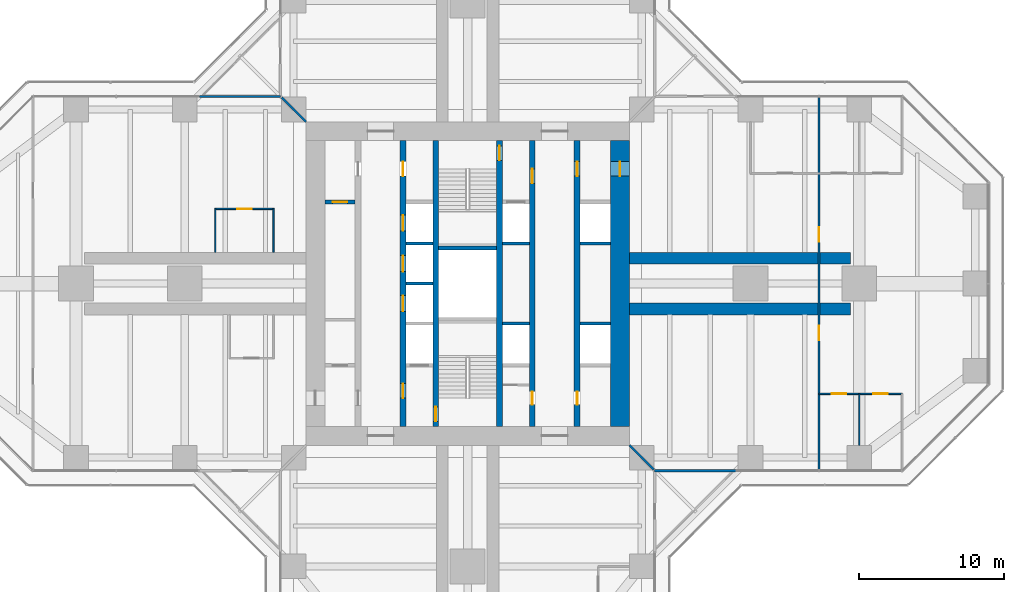
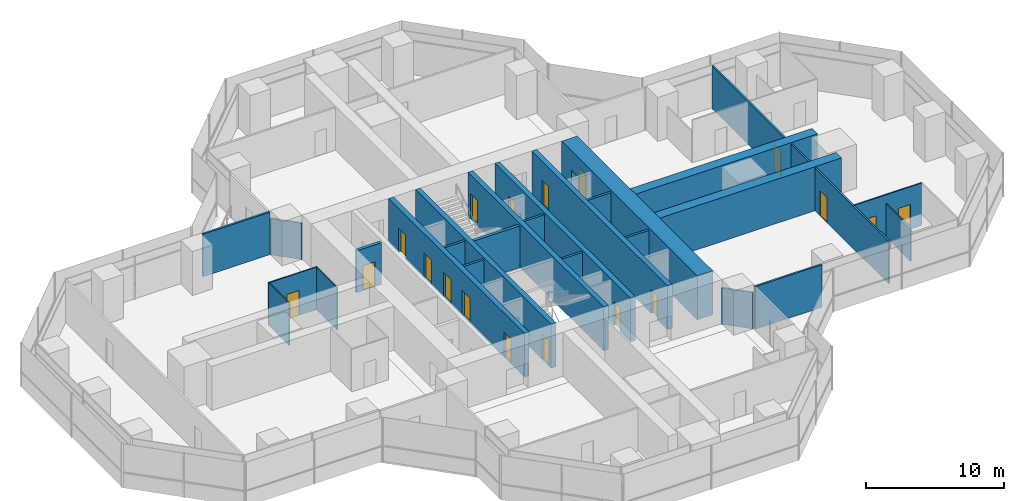
# One storey, part 16 of 19: 26 walls, 18 doors, 18 openings.
"""IFC4 building model written with IfcOpenShell, lengths in metres."""

from ifc_helpers import new_model, si_unit, direction, frame, frame_2d, origin, place, context, subcontext, project, spatial, rectangle, extrude, material, layer, layer_set, type_object, element, fill, save


model = new_model("IFC4")

# Units and contexts
model_context = context("Model", 3, precision=1e-05, world=origin(), true_north=direction((0.0, 1.0)))
body_context = subcontext(model_context, "Body", "Model", "MODEL_VIEW")
ifc_project = project(units=[si_unit("LENGTHUNIT", "METRE"), si_unit("AREAUNIT", "SQUARE_METRE"), si_unit("VOLUMEUNIT", "CUBIC_METRE"), si_unit("PLANEANGLEUNIT", "RADIAN"), si_unit("MASSUNIT", "GRAM", prefix="KILO")], contexts=[model_context])

# Site, building, storey
site_placement = place(None, origin())
site = spatial("IfcSite", under=ifc_project, at=site_placement, CompositionType="ELEMENT")
building_placement = place(site_placement, origin())
building = spatial("IfcBuilding", under=site, at=building_placement, Name="Mizan Broadcast Tower", CompositionType="ELEMENT")
storey_placement = place(building_placement, frame((0.0, 0.0, 132.0)))
storey = spatial("IfcBuildingStorey", under=building, at=storey_placement, Name="L29", CompositionType="ELEMENT", Elevation=132.0)

# Wall, openings, doors
ifc_material_1 = material(Name="Concrete C70/85", Category="concrete")
ifc_layer_1 = layer(ifc_material_1, 0.39990234375)
ifc_layer_set_1 = layer_set([ifc_layer_1], Name="Concrete C70/85")
wall_type_1 = type_object("IfcWallType", Name="CORE INTERNAL WALL 400", PredefinedType="SHEAR", material=ifc_layer_set_1)
wall_1_placement = place(storey_placement, frame((7.550048828125, 9.85009765625, 0.0), z_axis=(0.0, 0.0, 1.0), x_axis=(0.0, -1.0, 0.0)))
wall_1 = element("IfcWall", 1, at=wall_1_placement, inside=storey, type_object=wall_type_1, Name="Core wall CORE/XW1E", PredefinedType="SHEAR", context=body_context, shape_type="SweptSolid", body=[
    extrude(rectangle(XDim=19.7001953125, YDim=0.39990234375, at=frame_2d((9.85009765625, 0.0))), origin(), (0.0, 0.0, 1.0), 3.89990234375),
])
opening_1_placement = place(wall_1_placement, frame((1.449951171875, 0.0, 0.0)))
opening_1 = element("IfcOpeningElement", 2, at=opening_1_placement, cuts=wall_1, Name="Opening D10F", PredefinedType="OPENING", context=body_context, shape_type="SweptSolid", body=[
    extrude(rectangle(XDim=1.0, YDim=2.199951171875, at=frame_2d((0.5, 1.10009765625))), frame((0.0, 0.2099609375, 0.0), z_axis=(0.0, -1.0, 0.0), x_axis=(1.0, 0.0, 0.0)), (0.0, 0.0, 1.0), 0.419921875),
])
opening_2_placement = place(wall_1_placement, frame((17.300048828125, 0.0, 0.0)))
opening_2 = element("IfcOpeningElement", 3, at=opening_2_placement, cuts=wall_1, Name="Opening D09", PredefinedType="OPENING", context=body_context, shape_type="SweptSolid", body=[
    extrude(rectangle(XDim=0.89990234375, YDim=2.10009765625, at=frame_2d((0.449951171875, 1.050048828125))), frame((0.0, 0.2099609375, 0.0), z_axis=(0.0, -1.0, 0.0), x_axis=(1.0, 0.0, 0.0)), (0.0, 0.0, 1.0), 0.419921875),
])
ifc_material_2 = material(Name="Steel door leaf in steel frame", Category="steel")
door_type_1 = type_object("IfcDoorType", Name="FIRE DOOR 1000 FD90", OperationType="SINGLE_SWING_LEFT", PredefinedType="DOOR", material=ifc_material_2)
door_1_placement = place(opening_1_placement, origin())
door_1 = element("IfcDoor", 4, at=door_1_placement, inside=storey, type_object=door_type_1, Name="East core passage door", OperationType="SINGLE_SWING_LEFT", OverallHeight=2.199951171875, OverallWidth=1.0, PredefinedType="DOOR", context=body_context, shape_type="SweptSolid", body=[
    extrude(rectangle(XDim=1.0, YDim=2.199951171875, at=frame_2d((0.5, 1.10009765625))), frame((0.0, 0.02490234375, 0.0), z_axis=(0.0, -1.0, 0.0), x_axis=(1.0, 0.0, 0.0)), (0.0, 0.0, 1.0), 0.050048828125),
])
fill(opening_1, door_1)
ifc_material_3 = material(Name="Timber door leaf in aluminium frame", Category="wood")
door_type_2 = type_object("IfcDoorType", Name="TOILET DOOR 900", OperationType="SINGLE_SWING_LEFT", PredefinedType="DOOR", material=ifc_material_3)
door_2_placement = place(opening_2_placement, origin())
door_2 = element("IfcDoor", 5, at=door_2_placement, inside=storey, type_object=door_type_2, Name="Female WC door", OperationType="SINGLE_SWING_RIGHT", OverallHeight=2.10009765625, OverallWidth=0.89990234375, PredefinedType="DOOR", context=body_context, shape_type="SweptSolid", body=[
    extrude(rectangle(XDim=0.89990234375, YDim=2.10009765625, at=frame_2d((0.449951171875, 1.050048828125))), frame((0.0, 0.02490234375, 0.0), z_axis=(0.0, -1.0, 0.0), x_axis=(1.0, 0.0, 0.0)), (0.0, 0.0, 1.0), 0.050048828125),
])
fill(opening_2, door_2)

wall_2_placement = place(storey_placement, frame((-4.449951171875, -9.85009765625, 0.0), z_axis=(0.0, 0.0, 1.0), x_axis=(0.0, 1.0, 0.0)))
wall_2 = element("IfcWall", 6, at=wall_2_placement, inside=storey, type_object=wall_type_1, Name="Core wall CORE/XWH", PredefinedType="SHEAR", context=body_context, shape_type="SweptSolid", body=[
    extrude(rectangle(XDim=19.7001953125, YDim=0.39990234375, at=frame_2d((9.85009765625, 0.0))), origin(), (0.0, 0.0, 1.0), 3.89990234375),
])
opening_3_placement = place(wall_2_placement, frame((1.949951171875, 0.0, 0.0)))
opening_3 = element("IfcOpeningElement", 7, at=opening_3_placement, cuts=wall_2, Name="Opening D10F", PredefinedType="OPENING", context=body_context, shape_type="SweptSolid", body=[
    extrude(rectangle(XDim=1.0, YDim=2.199951171875, at=frame_2d((0.5, 1.10009765625))), frame((0.0, 0.2099609375, 0.0), z_axis=(0.0, -1.0, 0.0), x_axis=(1.0, 0.0, 0.0)), (0.0, 0.0, 1.0), 0.419921875),
])
opening_4_placement = place(wall_2_placement, frame((17.25, 0.0, 0.0)))
opening_4 = element("IfcOpeningElement", 8, at=opening_4_placement, cuts=wall_2, Name="Opening D10A", PredefinedType="OPENING", context=body_context, shape_type="SweptSolid", body=[
    extrude(rectangle(XDim=1.0, YDim=2.10009765625, at=frame_2d((0.5, 1.050048828125))), frame((0.0, 0.2099609375, 0.0), z_axis=(0.0, -1.0, 0.0), x_axis=(1.0, 0.0, 0.0)), (0.0, 0.0, 1.0), 0.419921875),
])
opening_5_placement = place(wall_2_placement, frame((7.925048828125, 0.0, 0.0)))
opening_5 = element("IfcOpeningElement", 9, at=opening_5_placement, cuts=wall_2, Name="Opening LD", PredefinedType="OPENING", context=body_context, shape_type="SweptSolid", body=[
    extrude(rectangle(XDim=1.10009765625, YDim=2.199951171875, at=frame_2d((0.550048828125, 1.10009765625))), frame((0.0, 0.2099609375, 0.0), z_axis=(0.0, -1.0, 0.0), x_axis=(1.0, 0.0, 0.0)), (0.0, 0.0, 1.0), 0.419921875),
])
opening_6_placement = place(wall_2_placement, frame((10.675048828125, 0.0, 0.0)))
opening_6 = element("IfcOpeningElement", 10, at=opening_6_placement, cuts=wall_2, Name="Opening LD", PredefinedType="OPENING", context=body_context, shape_type="SweptSolid", body=[
    extrude(rectangle(XDim=1.10009765625, YDim=2.199951171875, at=frame_2d((0.550048828125, 1.10009765625))), frame((0.0, 0.2099609375, 0.0), z_axis=(0.0, -1.0, 0.0), x_axis=(1.0, 0.0, 0.0)), (0.0, 0.0, 1.0), 0.419921875),
])
opening_7_placement = place(wall_2_placement, frame((13.47509765625, 0.0, 0.0)))
opening_7 = element("IfcOpeningElement", 11, at=opening_7_placement, cuts=wall_2, Name="Opening LD", PredefinedType="OPENING", context=body_context, shape_type="SweptSolid", body=[
    extrude(rectangle(XDim=1.10009765625, YDim=2.199951171875, at=frame_2d((0.550048828125, 1.10009765625))), frame((0.0, 0.2099609375, 0.0), z_axis=(0.0, -1.0, 0.0), x_axis=(1.0, 0.0, 0.0)), (0.0, 0.0, 1.0), 0.419921875),
])
ifc_material_4 = material(Name="Timber door leaf in aluminium frame", Category="wood")
door_type_3 = type_object("IfcDoorType", Name="ACCESSIBLE WC DOOR 1000", OperationType="SLIDING_TO_LEFT", PredefinedType="DOOR", material=ifc_material_4)
door_3_placement = place(opening_4_placement, origin())
door_3 = element("IfcDoor", 12, at=door_3_placement, inside=storey, type_object=door_type_3, Name="Accessible WC door", OperationType="SLIDING_TO_LEFT", OverallHeight=2.10009765625, OverallWidth=1.0, PredefinedType="DOOR", context=body_context, shape_type="SweptSolid", body=[
    extrude(rectangle(XDim=1.0, YDim=2.10009765625, at=frame_2d((0.5, 1.050048828125))), frame((0.0, 0.02490234375, 0.0), z_axis=(0.0, -1.0, 0.0), x_axis=(1.0, 0.0, 0.0)), (0.0, 0.0, 1.0), 0.050048828125),
])
fill(opening_4, door_3)
door_4_placement = place(opening_3_placement, origin())
door_4 = element("IfcDoor", 13, at=door_4_placement, inside=storey, type_object=door_type_1, Name="Firefighting lobby A door", OperationType="SINGLE_SWING_LEFT", OverallHeight=2.199951171875, OverallWidth=1.0, PredefinedType="DOOR", context=body_context, shape_type="SweptSolid", body=[
    extrude(rectangle(XDim=1.0, YDim=2.199951171875, at=frame_2d((0.5, 1.10009765625))), frame((0.0, 0.02490234375, 0.0), z_axis=(0.0, -1.0, 0.0), x_axis=(1.0, 0.0, 0.0)), (0.0, 0.0, 1.0), 0.050048828125),
])
fill(opening_3, door_4)
ifc_material_5 = material(Name="Steel door leaf in steel frame", Category="steel")
door_type_4 = type_object("IfcDoorType", Name="LIFT LANDING DOOR 1100", OperationType="SLIDING_TO_LEFT", PredefinedType="DOOR", material=ifc_material_5)
door_5_placement = place(opening_5_placement, origin())
door_5 = element("IfcDoor", 14, at=door_5_placement, inside=storey, type_object=door_type_4, Name="Landing door LB1", OperationType="SLIDING_TO_LEFT", OverallHeight=2.199951171875, OverallWidth=1.10009765625, PredefinedType="DOOR", context=body_context, shape_type="SweptSolid", body=[
    extrude(rectangle(XDim=1.10009765625, YDim=2.199951171875, at=frame_2d((0.550048828125, 1.10009765625))), frame((0.0, 0.02490234375, 0.0), z_axis=(0.0, -1.0, 0.0), x_axis=(1.0, 0.0, 0.0)), (0.0, 0.0, 1.0), 0.050048828125),
])
fill(opening_5, door_5)
door_6_placement = place(opening_6_placement, origin())
door_6 = element("IfcDoor", 15, at=door_6_placement, inside=storey, type_object=door_type_4, Name="Landing door LB2", OperationType="SLIDING_TO_LEFT", OverallHeight=2.199951171875, OverallWidth=1.10009765625, PredefinedType="DOOR", context=body_context, shape_type="SweptSolid", body=[
    extrude(rectangle(XDim=1.10009765625, YDim=2.199951171875, at=frame_2d((0.550048828125, 1.10009765625))), frame((0.0, 0.02490234375, 0.0), z_axis=(0.0, -1.0, 0.0), x_axis=(1.0, 0.0, 0.0)), (0.0, 0.0, 1.0), 0.050048828125),
])
fill(opening_6, door_6)
door_7_placement = place(opening_7_placement, origin())
door_7 = element("IfcDoor", 16, at=door_7_placement, inside=storey, type_object=door_type_4, Name="Landing door LB3", OperationType="SLIDING_TO_LEFT", OverallHeight=2.199951171875, OverallWidth=1.10009765625, PredefinedType="DOOR", context=body_context, shape_type="SweptSolid", body=[
    extrude(rectangle(XDim=1.10009765625, YDim=2.199951171875, at=frame_2d((0.550048828125, 1.10009765625))), frame((0.0, 0.02490234375, 0.0), z_axis=(0.0, -1.0, 0.0), x_axis=(1.0, 0.0, 0.0)), (0.0, 0.0, 1.0), 0.050048828125),
])
fill(opening_7, door_7)

wall_3_placement = place(storey_placement, frame((4.449951171875, 9.85009765625, 0.0), z_axis=(0.0, 0.0, 1.0), x_axis=(0.0, -1.0, 0.0)))
wall_3 = element("IfcWall", 17, at=wall_3_placement, inside=storey, type_object=wall_type_1, Name="Core wall CORE/XWHE", PredefinedType="SHEAR", context=body_context, shape_type="SweptSolid", body=[
    extrude(rectangle(XDim=19.7001953125, YDim=0.39990234375, at=frame_2d((9.85009765625, 0.0))), origin(), (0.0, 0.0, 1.0), 3.89990234375),
])
opening_8_placement = place(wall_3_placement, frame((1.949951171875, 0.0, 0.0)))
opening_8 = element("IfcOpeningElement", 18, at=opening_8_placement, cuts=wall_3, Name="Opening D10F", PredefinedType="OPENING", context=body_context, shape_type="SweptSolid", body=[
    extrude(rectangle(XDim=1.0, YDim=2.199951171875, at=frame_2d((0.5, 1.10009765625))), frame((0.0, 0.2099609375, 0.0), z_axis=(0.0, -1.0, 0.0), x_axis=(1.0, 0.0, 0.0)), (0.0, 0.0, 1.0), 0.419921875),
])
opening_9_placement = place(wall_3_placement, frame((17.300048828125, 0.0, 0.0)))
opening_9 = element("IfcOpeningElement", 19, at=opening_9_placement, cuts=wall_3, Name="Opening D09", PredefinedType="OPENING", context=body_context, shape_type="SweptSolid", body=[
    extrude(rectangle(XDim=0.89990234375, YDim=2.10009765625, at=frame_2d((0.449951171875, 1.050048828125))), frame((0.0, 0.2099609375, 0.0), z_axis=(0.0, -1.0, 0.0), x_axis=(1.0, 0.0, 0.0)), (0.0, 0.0, 1.0), 0.419921875),
])
door_8_placement = place(opening_8_placement, origin())
door_8 = element("IfcDoor", 20, at=door_8_placement, inside=storey, type_object=door_type_1, Name="Firefighting lobby B door", OperationType="SINGLE_SWING_LEFT", OverallHeight=2.199951171875, OverallWidth=1.0, PredefinedType="DOOR", context=body_context, shape_type="SweptSolid", body=[
    extrude(rectangle(XDim=1.0, YDim=2.199951171875, at=frame_2d((0.5, 1.10009765625))), frame((0.0, 0.02490234375, 0.0), z_axis=(0.0, -1.0, 0.0), x_axis=(1.0, 0.0, 0.0)), (0.0, 0.0, 1.0), 0.050048828125),
])
fill(opening_8, door_8)
door_9_placement = place(opening_9_placement, origin())
door_9 = element("IfcDoor", 21, at=door_9_placement, inside=storey, type_object=door_type_2, Name="Cleaner's store door", OperationType="SINGLE_SWING_RIGHT", OverallHeight=2.10009765625, OverallWidth=0.89990234375, PredefinedType="DOOR", context=body_context, shape_type="SweptSolid", body=[
    extrude(rectangle(XDim=0.89990234375, YDim=2.10009765625, at=frame_2d((0.449951171875, 1.050048828125))), frame((0.0, 0.02490234375, 0.0), z_axis=(0.0, -1.0, 0.0), x_axis=(1.0, 0.0, 0.0)), (0.0, 0.0, 1.0), 0.050048828125),
])
fill(opening_9, door_9)

# Wall, opening, door
wall_4_placement = place(storey_placement, frame((-2.199951171875, -9.85009765625, 0.0), z_axis=(0.0, 0.0, 1.0), x_axis=(0.0, 1.0, 0.0)))
wall_4 = element("IfcWall", 22, at=wall_4_placement, inside=storey, type_object=wall_type_1, Name="Core wall CORE/XW2", PredefinedType="SHEAR", context=body_context, shape_type="SweptSolid", body=[
    extrude(rectangle(XDim=19.7001953125, YDim=0.39990234375, at=frame_2d((9.85009765625, 0.0))), origin(), (0.0, 0.0, 1.0), 3.89990234375),
])
opening_10_placement = place(wall_4_placement, frame((0.35009765625, 0.0, 0.0)))
opening_10 = element("IfcOpeningElement", 23, at=opening_10_placement, cuts=wall_4, Name="Opening D10S", PredefinedType="OPENING", context=body_context, shape_type="SweptSolid", body=[
    extrude(rectangle(XDim=1.0, YDim=2.199951171875, at=frame_2d((0.5, 1.10009765625))), frame((0.0, 0.2099609375, 0.0), z_axis=(0.0, -1.0, 0.0), x_axis=(1.0, 0.0, 0.0)), (0.0, 0.0, 1.0), 0.419921875),
])
ifc_material_6 = material(Name="Steel door leaf in steel frame", Category="steel")
door_type_5 = type_object("IfcDoorType", Name="STAIR DOOR 1000 FD90S", OperationType="SINGLE_SWING_RIGHT", PredefinedType="DOOR", material=ifc_material_6)
door_10_placement = place(opening_10_placement, origin())
door_10 = element("IfcDoor", 24, at=door_10_placement, inside=storey, type_object=door_type_5, Name="Stair A door", OperationType="SINGLE_SWING_RIGHT", OverallHeight=2.199951171875, OverallWidth=1.0, PredefinedType="DOOR", context=body_context, shape_type="SweptSolid", body=[
    extrude(rectangle(XDim=1.0, YDim=2.199951171875, at=frame_2d((0.5, 1.10009765625))), frame((0.0, 0.02490234375, 0.0), z_axis=(0.0, -1.0, 0.0), x_axis=(1.0, 0.0, 0.0)), (0.0, 0.0, 1.0), 0.050048828125),
])
fill(opening_10, door_10)

wall_5_placement = place(storey_placement, frame((2.199951171875, 9.85009765625, 0.0), z_axis=(0.0, 0.0, 1.0), x_axis=(0.0, -1.0, 0.0)))
wall_5 = element("IfcWall", 25, at=wall_5_placement, inside=storey, type_object=wall_type_1, Name="Core wall CORE/XW2E", PredefinedType="SHEAR", context=body_context, shape_type="SweptSolid", body=[
    extrude(rectangle(XDim=19.7001953125, YDim=0.39990234375, at=frame_2d((9.85009765625, 0.0))), origin(), (0.0, 0.0, 1.0), 3.89990234375),
])
opening_11_placement = place(wall_5_placement, frame((0.35009765625, 0.0, 0.0)))
opening_11 = element("IfcOpeningElement", 26, at=opening_11_placement, cuts=wall_5, Name="Opening D10S", PredefinedType="OPENING", context=body_context, shape_type="SweptSolid", body=[
    extrude(rectangle(XDim=1.0, YDim=2.199951171875, at=frame_2d((0.5, 1.10009765625))), frame((0.0, 0.2099609375, 0.0), z_axis=(0.0, -1.0, 0.0), x_axis=(1.0, 0.0, 0.0)), (0.0, 0.0, 1.0), 0.419921875),
])
door_11_placement = place(opening_11_placement, origin())
door_11 = element("IfcDoor", 27, at=door_11_placement, inside=storey, type_object=door_type_5, Name="Stair B door", OperationType="SINGLE_SWING_RIGHT", OverallHeight=2.199951171875, OverallWidth=1.0, PredefinedType="DOOR", context=body_context, shape_type="SweptSolid", body=[
    extrude(rectangle(XDim=1.0, YDim=2.199951171875, at=frame_2d((0.5, 1.10009765625))), frame((0.0, 0.02490234375, 0.0), z_axis=(0.0, -1.0, 0.0), x_axis=(1.0, 0.0, 0.0)), (0.0, 0.0, 1.0), 0.050048828125),
])
fill(opening_11, door_11)

ifc_material_7 = material(Name="Concrete C70/85", Category="concrete")
ifc_layer_2 = layer(ifc_material_7, 1.300048828125)
ifc_layer_set_2 = layer_set([ifc_layer_2], Name="Concrete C70/85")
wall_type_2 = type_object("IfcWallType", Name="CORE WALL 1300", PredefinedType="SHEAR", material=ifc_layer_set_2)
wall_6_placement = place(storey_placement, frame((10.5, -9.85009765625, 0.0), z_axis=(0.0, 0.0, 1.0), x_axis=(0.0, 1.0, 0.0)))
wall_6 = element("IfcWall", 28, at=wall_6_placement, inside=storey, type_object=wall_type_2, Name="Core wall E L29", PredefinedType="SHEAR", context=body_context, shape_type="SweptSolid", body=[
    extrude(rectangle(XDim=19.7001953125, YDim=1.300048828125, at=frame_2d((9.85009765625, 0.0))), origin(), (0.0, 0.0, 1.0), 3.89990234375),
])
opening_12_placement = place(wall_6_placement, frame((17.25, 0.0, 0.0)))
opening_12 = element("IfcOpeningElement", 29, at=opening_12_placement, cuts=wall_6, Name="Opening D10F", PredefinedType="OPENING", context=body_context, shape_type="SweptSolid", body=[
    extrude(rectangle(XDim=1.0, YDim=2.199951171875, at=frame_2d((0.5, 1.10009765625))), frame((0.0, 0.659912109375, 0.0), z_axis=(0.0, -1.0, 0.0), x_axis=(1.0, 0.0, 0.0)), (0.0, 0.0, 1.0), 1.320068359375),
])
door_12_placement = place(opening_12_placement, origin())
door_12 = element("IfcDoor", 30, at=door_12_placement, inside=storey, type_object=door_type_1, Name="East core passage arm door", OperationType="SINGLE_SWING_RIGHT", OverallHeight=2.199951171875, OverallWidth=1.0, PredefinedType="DOOR", context=body_context, shape_type="SweptSolid", body=[
    extrude(rectangle(XDim=1.0, YDim=2.199951171875, at=frame_2d((0.5, 1.10009765625))), frame((0.0, 0.02490234375, 0.0), z_axis=(0.0, -1.0, 0.0), x_axis=(1.0, 0.0, 0.0)), (0.0, 0.0, 1.0), 0.050048828125),
])
fill(opening_12, door_12)

# Walls
ifc_material_8 = material(Name="Aluminium framed glazed screen", Category="aluminium")
ifc_layer_3 = layer(ifc_material_8, 0.159912109375)
ifc_layer_set_3 = layer_set([ifc_layer_3], Name="Aluminium framed glazed screen")
wall_type_3 = type_object("IfcWallType", Name="GLAZED SCREEN WALL 160", PredefinedType="SOLIDWALL", material=ifc_layer_set_3)
for number, where, z_axis, x_axis, name in (
    (31, (12.89990234375, -12.89990234375, 0.0), (0.0, 0.0, 1.0), (1.0, 0.0, 0.0), "Winter garden screen L29 E"),
    (32, (-12.89990234375, 12.89990234375, 0.0), (0.0, 0.0, 1.0), (-1.0, 0.0, 0.0), "Winter garden screen L29 W"),
):
    element("IfcWall", number, at=place(storey_placement, frame(where, z_axis=z_axis, x_axis=x_axis)), inside=storey, type_object=wall_type_3, Name=name, PredefinedType="SOLIDWALL", context=body_context, shape_type="SweptSolid", body=[
        extrude(rectangle(XDim=5.60009765625, YDim=0.159912109375, at=frame_2d((2.800048828125, 0.0))), origin(), (0.0, 0.0, 1.0), 3.77001953125),
    ])
ifc_material_9 = material(Name="Concrete blockwork", Category="masonry")
ifc_layer_4 = layer(ifc_material_9, 0.199951171875)
ifc_layer_set_4 = layer_set([ifc_layer_4], Name="Concrete blockwork")
wall_type_4 = type_object("IfcWallType", Name="LIFT SHAFT WALL 200", PredefinedType="SOLIDWALL", material=ifc_layer_set_4)
wall_7_placement = place(storey_placement, frame((2.39990234375, -2.75, 0.0), z_axis=(0.0, 0.0, 1.0), x_axis=(1.0, 0.0, 0.0)))
element("IfcWall", 33, at=wall_7_placement, inside=storey, type_object=wall_type_4, Name="Lift shaft wall CORE/SE2-1", PredefinedType="SOLIDWALL", context=body_context, shape_type="SweptSolid", body=[
    extrude(rectangle(XDim=1.85009765625, YDim=0.199951171875, at=frame_2d((0.925048828125, 0.0))), origin(), (0.0, 0.0, 1.0), 3.699951171875),
])
wall_8_placement = place(storey_placement, frame((7.75, -2.75, 0.0), z_axis=(0.0, 0.0, 1.0), x_axis=(1.0, 0.0, 0.0)))
element("IfcWall", 34, at=wall_8_placement, inside=storey, type_object=wall_type_4, Name="Lift shaft wall CORE/SE1-1", PredefinedType="SOLIDWALL", context=body_context, shape_type="SweptSolid", body=[
    extrude(rectangle(XDim=2.10009765625, YDim=0.199951171875, at=frame_2d((1.050048828125, 0.0))), origin(), (0.0, 0.0, 1.0), 3.699951171875),
])
for number, where, z_axis, x_axis, name in (
    (35, (-4.25, 0.0, 0.0), (0.0, 0.0, 1.0), (1.0, 0.0, 0.0), "Lift shaft wall CORE/SW2-2"),
    (36, (-4.25, 2.75, 0.0), (0.0, 0.0, 1.0), (1.0, 0.0, 0.0), "Lift shaft wall CORE/SW2-3"),
    (37, (2.39990234375, 2.75, 0.0), (0.0, 0.0, 1.0), (1.0, 0.0, 0.0), "Lift shaft wall CORE/SE2-3"),
):
    element("IfcWall", number, at=place(storey_placement, frame(where, z_axis=z_axis, x_axis=x_axis)), inside=storey, type_object=wall_type_4, Name=name, PredefinedType="SOLIDWALL", context=body_context, shape_type="SweptSolid", body=[
        extrude(rectangle(XDim=1.85009765625, YDim=0.199951171875, at=frame_2d((0.925048828125, 0.0))), origin(), (0.0, 0.0, 1.0), 3.699951171875),
    ])
wall_9_placement = place(storey_placement, frame((7.75, 2.75, 0.0), z_axis=(0.0, 0.0, 1.0), x_axis=(1.0, 0.0, 0.0)))
element("IfcWall", 38, at=wall_9_placement, inside=storey, type_object=wall_type_4, Name="Lift shaft wall CORE/SE1-3", PredefinedType="SOLIDWALL", context=body_context, shape_type="SweptSolid", body=[
    extrude(rectangle(XDim=2.10009765625, YDim=0.199951171875, at=frame_2d((1.050048828125, 0.0))), origin(), (0.0, 0.0, 1.0), 3.699951171875),
])

# Wall, opening, door
ifc_material_10 = material(Name="Concrete blockwork", Category="masonry")
ifc_layer_5 = layer(ifc_material_10, 0.25)
ifc_layer_set_5 = layer_set([ifc_layer_5], Name="Concrete blockwork")
wall_type_5 = type_object("IfcWallType", Name="LOBBY ENCLOSURE WALL 250", PredefinedType="SOLIDWALL", material=ifc_layer_set_5)
wall_10_placement = place(storey_placement, frame((-9.85009765625, 5.625, 0.0), z_axis=(0.0, 0.0, 1.0), x_axis=(1.0, 0.0, 0.0)))
wall_10 = element("IfcWall", 39, at=wall_10_placement, inside=storey, type_object=wall_type_5, Name="Lobby enclosure wall CORE/BW1N", PredefinedType="SOLIDWALL", context=body_context, shape_type="SweptSolid", body=[
    extrude(rectangle(XDim=2.10009765625, YDim=0.25, at=frame_2d((1.050048828125, 0.0))), origin(), (0.0, 0.0, 1.0), 3.699951171875),
])
opening_13_placement = place(wall_10_placement, frame((0.550048828125, 0.0, 0.0)))
opening_13 = element("IfcOpeningElement", 40, at=opening_13_placement, cuts=wall_10, Name="Opening D10F", PredefinedType="OPENING", context=body_context, shape_type="SweptSolid", body=[
    extrude(rectangle(XDim=1.0, YDim=2.199951171875, at=frame_2d((0.5, 1.10009765625))), frame((0.0, 0.135009765625, 0.0), z_axis=(0.0, -1.0, 0.0), x_axis=(1.0, 0.0, 0.0)), (0.0, 0.0, 1.0), 0.27001953125),
])
door_13_placement = place(opening_13_placement, origin())
door_13 = element("IfcDoor", 41, at=door_13_placement, inside=storey, type_object=door_type_1, Name="Male staff shower room door", OperationType="SINGLE_SWING_RIGHT", OverallHeight=2.199951171875, OverallWidth=1.0, PredefinedType="DOOR", context=body_context, shape_type="SweptSolid", body=[
    extrude(rectangle(XDim=1.0, YDim=2.199951171875, at=frame_2d((0.5, 1.10009765625))), frame((0.0, 0.02490234375, 0.0), z_axis=(0.0, -1.0, 0.0), x_axis=(1.0, 0.0, 0.0)), (0.0, 0.0, 1.0), 0.050048828125),
])
fill(opening_13, door_13)

# Wall
wall_11_placement = place(storey_placement, frame((-2.0, 2.449951171875, 0.0), z_axis=(0.0, 0.0, 1.0), x_axis=(1.0, 0.0, 0.0)))
element("IfcWall", 42, at=wall_11_placement, inside=storey, type_object=wall_type_5, Name="Lobby enclosure wall CORE/STB", PredefinedType="SOLIDWALL", context=body_context, shape_type="SweptSolid", body=[
    extrude(rectangle(XDim=4.0, YDim=0.25, at=frame_2d((2.0, 0.0))), origin(), (0.0, 0.0, 1.0), 3.699951171875),
])

# Wall, openings, doors
ifc_material_11 = material(Name="Gypsum board on steel studs", Category="steel")
ifc_layer_6 = layer(ifc_material_11, 0.14990234375)
ifc_layer_set_6 = layer_set([ifc_layer_6], Name="Gypsum board on steel studs")
wall_type_6 = type_object("IfcWallType", Name="PARTITION 150", PredefinedType="PARTITIONING", material=ifc_layer_set_6)
wall_12_placement = place(storey_placement, frame((24.22900390625, -12.820068359375, 0.0), z_axis=(0.0, 0.0, 1.0), x_axis=(0.0, 1.0, 0.0)))
wall_12 = element("IfcWall", 43, at=wall_12_placement, inside=storey, type_object=wall_type_6, Name="Partition PT/EX1", PredefinedType="PARTITIONING", context=body_context, shape_type="SweptSolid", body=[
    extrude(rectangle(XDim=25.64013671875, YDim=0.14990234375, at=frame_2d((12.820068359375, 0.0))), origin(), (0.0, 0.0, 1.0), 3.77001953125),
])
opening_14_placement = place(wall_12_placement, frame((15.719970703125, 0.0, 0.0)))
opening_14 = element("IfcOpeningElement", 44, at=opening_14_placement, cuts=wall_12, Name="Opening D10", PredefinedType="OPENING", context=body_context, shape_type="SweptSolid", body=[
    extrude(rectangle(XDim=1.0, YDim=2.199951171875, at=frame_2d((0.5, 1.10009765625))), frame((0.0, 0.0849609375, 0.0), z_axis=(0.0, -1.0, 0.0), x_axis=(1.0, 0.0, 0.0)), (0.0, 0.0, 1.0), 0.169921875),
])
opening_15_placement = place(wall_12_placement, frame((8.919921875, 0.0, 0.0)))
opening_15 = element("IfcOpeningElement", 45, at=opening_15_placement, cuts=wall_12, Name="Opening D10", PredefinedType="OPENING", context=body_context, shape_type="SweptSolid", body=[
    extrude(rectangle(XDim=1.0, YDim=2.199951171875, at=frame_2d((0.5, 1.10009765625))), frame((0.0, 0.0849609375, 0.0), z_axis=(0.0, -1.0, 0.0), x_axis=(1.0, 0.0, 0.0)), (0.0, 0.0, 1.0), 0.169921875),
])
ifc_material_12 = material(Name="Timber door leaf in aluminium frame", Category="wood")
door_type_6 = type_object("IfcDoorType", Name="ROOM DOOR 1000", OperationType="SINGLE_SWING_LEFT", PredefinedType="DOOR", material=ifc_material_12)
door_14_placement = place(opening_14_placement, origin())
door_14 = element("IfcDoor", 46, at=door_14_placement, inside=storey, type_object=door_type_6, Name="Open office door", OperationType="SINGLE_SWING_RIGHT", OverallHeight=2.199951171875, OverallWidth=1.0, PredefinedType="DOOR", context=body_context, shape_type="SweptSolid", body=[
    extrude(rectangle(XDim=1.0, YDim=2.199951171875, at=frame_2d((0.5, 1.10009765625))), frame((0.0, 0.02490234375, 0.0), z_axis=(0.0, -1.0, 0.0), x_axis=(1.0, 0.0, 0.0)), (0.0, 0.0, 1.0), 0.050048828125),
])
fill(opening_14, door_14)
door_15_placement = place(opening_15_placement, origin())
door_15 = element("IfcDoor", 47, at=door_15_placement, inside=storey, type_object=door_type_6, Name="Open office door", OperationType="SINGLE_SWING_LEFT", OverallHeight=2.199951171875, OverallWidth=1.0, PredefinedType="DOOR", context=body_context, shape_type="SweptSolid", body=[
    extrude(rectangle(XDim=1.0, YDim=2.199951171875, at=frame_2d((0.5, 1.10009765625))), frame((0.0, 0.02490234375, 0.0), z_axis=(0.0, -1.0, 0.0), x_axis=(1.0, 0.0, 0.0)), (0.0, 0.0, 1.0), 0.050048828125),
])
fill(opening_15, door_15)

# Walls
for number, where, z_axis, x_axis, name in (
    (48, (-11.14990234375, 11.14990234375, 0.0), (0.0, 0.0, 1.0), (-0.707106781187, 0.707106781187, 0.0), "Partition PT/DGWN"),
    (49, (11.14990234375, -11.14990234375, 0.0), (0.0, 0.0, 1.0), (0.707106781187, -0.707106781187, 0.0), "Partition PT/DGES"),
):
    element("IfcWall", number, at=place(storey_placement, frame(where, z_axis=z_axis, x_axis=x_axis)), inside=storey, type_object=wall_type_6, Name=name, PredefinedType="PARTITIONING", context=body_context, shape_type="SweptSolid", body=[
        extrude(rectangle(XDim=2.362060546875, YDim=0.14990234375, at=frame_2d((1.18115234375, 0.0))), origin(), (0.0, 0.0, 1.0), 3.219970703125),
    ])

# Wall, openings, doors
ifc_material_13 = material(Name="Glazed aluminium partition on aluminium track", Category="aluminium")
ifc_layer_7 = layer(ifc_material_13, 0.10009765625)
ifc_layer_set_7 = layer_set([ifc_layer_7], Name="Glazed aluminium partition on aluminium track")
wall_type_7 = type_object("IfcWallType", Name="PARTITION GLAZED OFFICE FRONT 100", PredefinedType="PARTITIONING", material=ifc_layer_set_7)
wall_13_placement = place(storey_placement, frame((24.22900390625, -7.60009765625, 0.0), z_axis=(0.0, 0.0, 1.0), x_axis=(1.0, 0.0, 0.0)))
wall_13 = element("IfcWall", 50, at=wall_13_placement, inside=storey, type_object=wall_type_7, Name="Glazed office front PT/ECN0", PredefinedType="PARTITIONING", context=body_context, shape_type="SweptSolid", body=[
    extrude(rectangle(XDim=5.72998046875, YDim=0.10009765625, at=frame_2d((2.864990234375, 0.0))), origin(), (0.0, 0.0, 1.0), 3.77001953125),
])
opening_16_placement = place(wall_13_placement, frame((0.885498046875, 0.0, 0.0)))
opening_16 = element("IfcOpeningElement", 51, at=opening_16_placement, cuts=wall_13, Name="Opening D10O", PredefinedType="OPENING", context=body_context, shape_type="SweptSolid", body=[
    extrude(rectangle(XDim=1.0, YDim=2.199951171875, at=frame_2d((0.5, 1.10009765625))), frame((0.0, 0.06005859375, 0.0), z_axis=(0.0, -1.0, 0.0), x_axis=(1.0, 0.0, 0.0)), (0.0, 0.0, 1.0), 0.1201171875),
])
opening_17_placement = place(wall_13_placement, frame((3.75048828125, 0.0, 0.0)))
opening_17 = element("IfcOpeningElement", 52, at=opening_17_placement, cuts=wall_13, Name="Opening D10O", PredefinedType="OPENING", context=body_context, shape_type="SweptSolid", body=[
    extrude(rectangle(XDim=1.0, YDim=2.199951171875, at=frame_2d((0.5, 1.10009765625))), frame((0.0, 0.06005859375, 0.0), z_axis=(0.0, -1.0, 0.0), x_axis=(1.0, 0.0, 0.0)), (0.0, 0.0, 1.0), 0.1201171875),
])
ifc_material_14 = material(Name="Timber door leaf in aluminium frame", Category="wood")
door_type_7 = type_object("IfcDoorType", Name="OFFICE DOOR 1000 GLAZED", OperationType="SINGLE_SWING_LEFT", PredefinedType="DOOR", material=ifc_material_14)
door_16_placement = place(opening_16_placement, origin())
door_16 = element("IfcDoor", 53, at=door_16_placement, inside=storey, type_object=door_type_7, Name="Office door", OperationType="SINGLE_SWING_LEFT", OverallHeight=2.199951171875, OverallWidth=1.0, PredefinedType="DOOR", context=body_context, shape_type="SweptSolid", body=[
    extrude(rectangle(XDim=1.0, YDim=2.199951171875, at=frame_2d((0.5, 1.10009765625))), frame((0.0, 0.02490234375, 0.0), z_axis=(0.0, -1.0, 0.0), x_axis=(1.0, 0.0, 0.0)), (0.0, 0.0, 1.0), 0.050048828125),
])
fill(opening_16, door_16)
door_17_placement = place(opening_17_placement, origin())
door_17 = element("IfcDoor", 54, at=door_17_placement, inside=storey, type_object=door_type_7, Name="Office door", OperationType="SINGLE_SWING_RIGHT", OverallHeight=2.199951171875, OverallWidth=1.0, PredefinedType="DOOR", context=body_context, shape_type="SweptSolid", body=[
    extrude(rectangle(XDim=1.0, YDim=2.199951171875, at=frame_2d((0.5, 1.10009765625))), frame((0.0, 0.02490234375, 0.0), z_axis=(0.0, -1.0, 0.0), x_axis=(1.0, 0.0, 0.0)), (0.0, 0.0, 1.0), 0.050048828125),
])
fill(opening_17, door_17)

# Walls
wall_14_placement = place(storey_placement, frame((27.0, -7.60009765625, 0.0), z_axis=(0.0, 0.0, 1.0), x_axis=(0.0, -1.0, 0.0)))
element("IfcWall", 55, at=wall_14_placement, inside=storey, type_object=wall_type_7, Name="Glazed office front PT/EQN2700", PredefinedType="PARTITIONING", context=body_context, shape_type="SweptSolid", body=[
    extrude(rectangle(XDim=3.5498046875, YDim=0.10009765625, at=frame_2d((1.77490234375, 0.0))), origin(), (0.0, 0.0, 1.0), 2.969970703125),
])
for number, where, z_axis, x_axis, name in (
    (56, (-13.39990234375, 2.14990234375, 0.0), (0.0, 0.0, 1.0), (0.0, 1.0, 0.0), "Glazed office front PT/WKN0a"),
    (57, (-17.39990234375, 2.14990234375, 0.0), (0.0, 0.0, 1.0), (0.0, 1.0, 0.0), "Glazed office front PT/WKN0b"),
):
    element("IfcWall", number, at=place(storey_placement, frame(where, z_axis=z_axis, x_axis=x_axis)), inside=storey, type_object=wall_type_7, Name=name, PredefinedType="PARTITIONING", context=body_context, shape_type="SweptSolid", body=[
        extrude(rectangle(XDim=3.0, YDim=0.10009765625, at=frame_2d((1.5, 0.0))), origin(), (0.0, 0.0, 1.0), 3.77001953125),
    ])

# Wall, opening, door
wall_15_placement = place(storey_placement, frame((-13.35009765625, 5.14990234375, 0.0), z_axis=(0.0, 0.0, 1.0), x_axis=(-1.0, 0.0, 0.0)))
wall_15 = element("IfcWall", 58, at=wall_15_placement, inside=storey, type_object=wall_type_7, Name="Glazed office front PT/WKN0f", PredefinedType="PARTITIONING", context=body_context, shape_type="SweptSolid", body=[
    extrude(rectangle(XDim=4.099853515625, YDim=0.10009765625, at=frame_2d((2.0498046875, 0.0))), origin(), (0.0, 0.0, 1.0), 3.77001953125),
])
opening_18_placement = place(wall_15_placement, frame((1.550048828125, 0.0, 0.0)))
opening_18 = element("IfcOpeningElement", 59, at=opening_18_placement, cuts=wall_15, Name="Opening D10O", PredefinedType="OPENING", context=body_context, shape_type="SweptSolid", body=[
    extrude(rectangle(XDim=1.0, YDim=2.199951171875, at=frame_2d((0.5, 1.10009765625))), frame((0.0, 0.06005859375, 0.0), z_axis=(0.0, -1.0, 0.0), x_axis=(1.0, 0.0, 0.0)), (0.0, 0.0, 1.0), 0.1201171875),
])
door_18_placement = place(opening_18_placement, origin())
door_18 = element("IfcDoor", 60, at=door_18_placement, inside=storey, type_object=door_type_7, Name="File room door", OperationType="SINGLE_SWING_LEFT", OverallHeight=2.199951171875, OverallWidth=1.0, PredefinedType="DOOR", context=body_context, shape_type="SweptSolid", body=[
    extrude(rectangle(XDim=1.0, YDim=2.199951171875, at=frame_2d((0.5, 1.10009765625))), frame((0.0, 0.02490234375, 0.0), z_axis=(0.0, -1.0, 0.0), x_axis=(1.0, 0.0, 0.0)), (0.0, 0.0, 1.0), 0.050048828125),
])
fill(opening_18, door_18)

# Walls
ifc_material_15 = material(Name="Concrete C70/85", Category="concrete")
ifc_layer_8 = layer(ifc_material_15, 0.800048828125)
ifc_layer_set_8 = layer_set([ifc_layer_8], Name="Concrete C70/85")
wall_type_8 = type_object("IfcWallType", Name="SPINE WALL 800", PredefinedType="SHEAR", material=ifc_layer_set_8)
for number, where, z_axis, x_axis, name in (
    (61, (11.14990234375, -1.75, 0.0), (0.0, 0.0, 1.0), (1.0, 0.0, 0.0), "Spine wall ER L29"),
    (62, (11.14990234375, 1.75, 0.0), (0.0, 0.0, 1.0), (1.0, 0.0, 0.0), "Spine wall EL L29"),
):
    element("IfcWall", number, at=place(storey_placement, frame(where, z_axis=z_axis, x_axis=x_axis)), inside=storey, type_object=wall_type_8, Name=name, PredefinedType="SHEAR", context=body_context, shape_type="SweptSolid", body=[
        extrude(rectangle(XDim=15.25, YDim=0.800048828125, at=frame_2d((7.625, 0.0))), origin(), (0.0, 0.0, 1.0), 3.89990234375),
    ])

save(model, "model.ifc")
